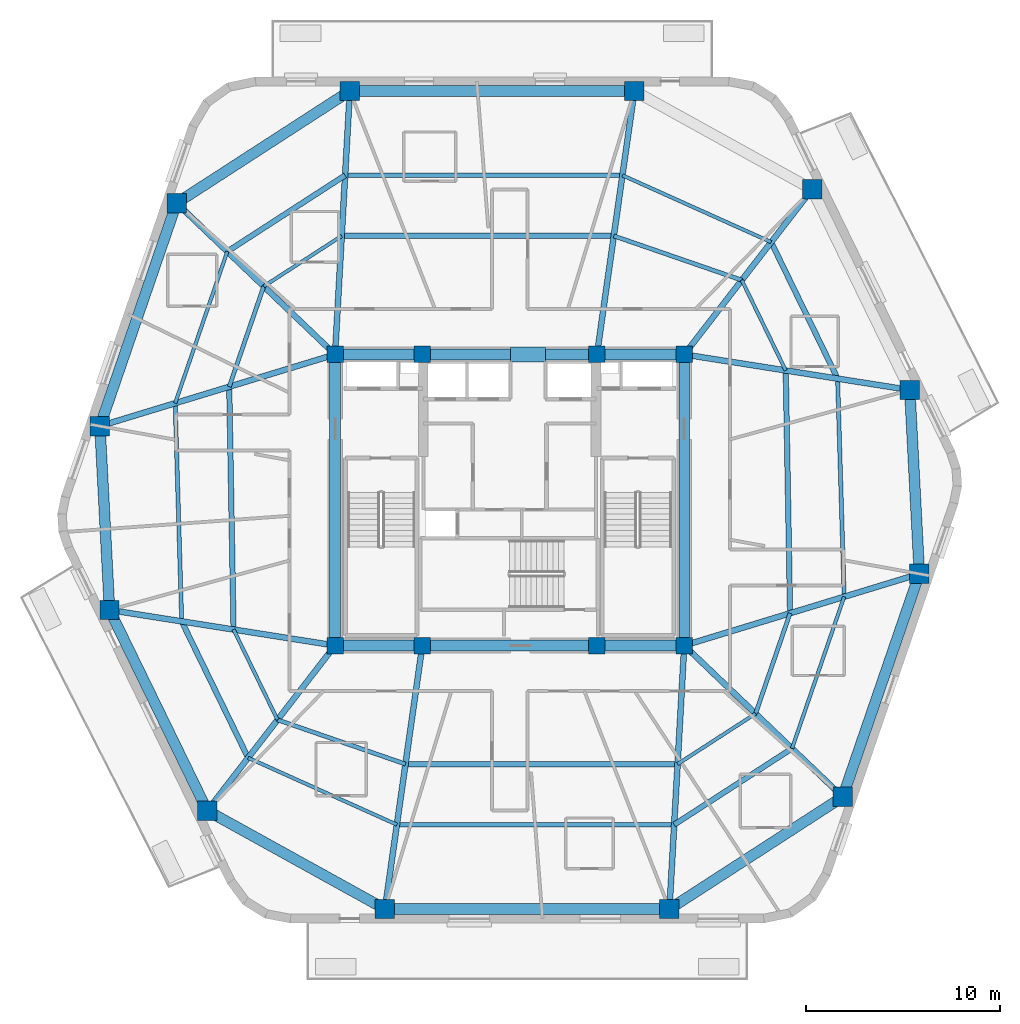
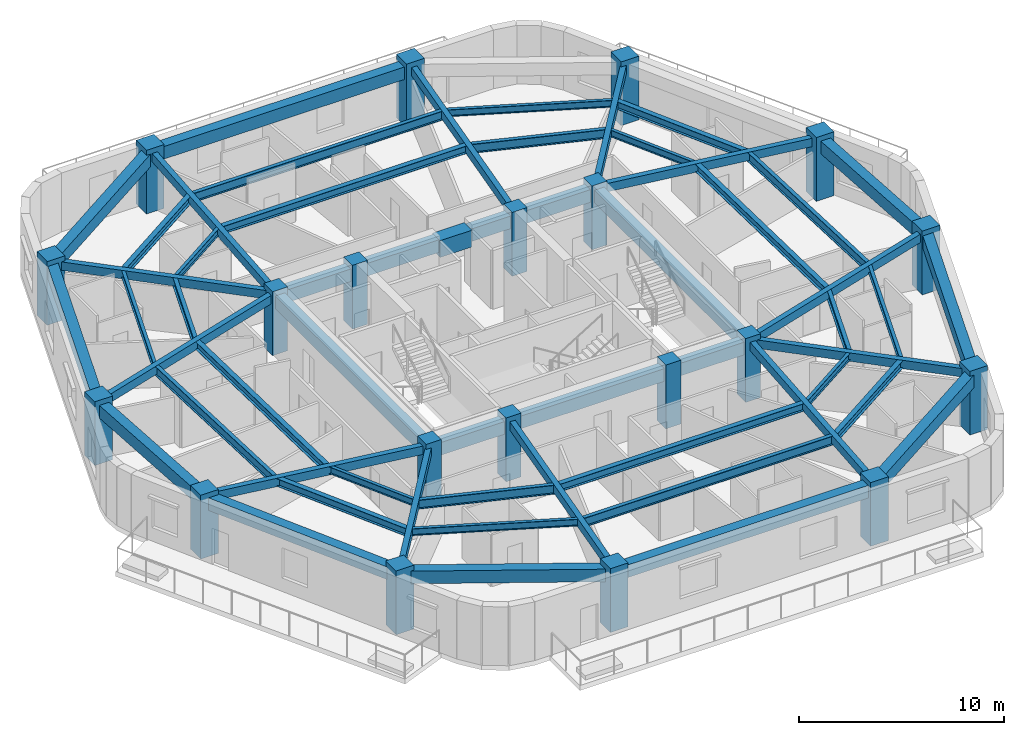
# One storey, part 1 of 10: 55 beams, 20 columns.
"""IFC4 building model written with IfcOpenShell, lengths in metres."""

from ifc_helpers import new_model, si_unit, direction, frame, origin, origin_2d, place, context, subcontext, project, spatial, rectangle, i_section, extrude, material, material_profile, profile_set, type_object, element, save


model = new_model("IFC4")

# Units and contexts
model_context = context("Model", 3, precision=1e-05, world=origin(), true_north=direction((0.0, 1.0)))
body_context = subcontext(model_context, "Body", "Model", "MODEL_VIEW")
ifc_project = project(units=[si_unit("LENGTHUNIT", "METRE"), si_unit("AREAUNIT", "SQUARE_METRE"), si_unit("VOLUMEUNIT", "CUBIC_METRE"), si_unit("PLANEANGLEUNIT", "RADIAN"), si_unit("MASSUNIT", "GRAM", prefix="KILO")], contexts=[model_context])

# Site, building, storey
site_placement = place(None, origin())
site = spatial("IfcSite", under=ifc_project, at=site_placement, CompositionType="ELEMENT")
building_placement = place(site_placement, origin())
building = spatial("IfcBuilding", under=site, at=building_placement, Name="Kilnhurst Terrace Hotel", CompositionType="ELEMENT")
storey_placement = place(building_placement, frame((0.0, 0.0, 210.300048828125)))
storey = spatial("IfcBuildingStorey", under=building, at=storey_placement, Name="L52", CompositionType="ELEMENT", Elevation=210.300048828125)

# Columns
ifc_material_1 = material(Name="Concrete C60/75", Category="concrete")
ifc_material_profile_1 = material_profile(ifc_material_1, rectangle(XDim=1.0, YDim=1.0, at=origin_2d()), Name="RC1000X1000")
ifc_profile_set_1 = profile_set([ifc_material_profile_1], Name="Concrete C60/75")
column_type_1 = type_object("IfcColumnType", Name="COL-RC-1000", PredefinedType="COLUMN", material=ifc_profile_set_1)
for number, where, z_axis, x_axis, name in (
    (1, (-6.429931640625, -21.080078125, 0.0), (0.0, 0.0, 1.0), (1.0, 0.0, 0.0), "L52 Structural Column PC-F11"),
    (2, (8.236083984375, -21.080078125, 0.0), (0.0, 0.0, 1.0), (1.0, 0.0, 0.0), "L52 Structural Column PC-F12"),
    (3, (17.166015625, -15.303955078125, 0.0), (0.0, 0.0, 1.0), (1.0, 0.0, 0.0), "L52 Structural Column PC-F21"),
    (4, (21.117919921875, -3.806884765625, 0.0), (0.0, 0.0, 1.0), (1.0, 0.0, 0.0), "L52 Structural Column PC-F22"),
    (5, (20.6220703125, 5.669921875, 0.0), (0.0, 0.0, 1.0), (1.0, 0.0, 0.0), "L52 Structural Column PC-F31"),
    (6, (15.5869140625, 16.012939453125, 0.0), (0.0, 0.0, 1.0), (1.0, 0.0, 0.0), "L52 Structural Column PC-F32"),
    (7, (6.429931640625, 21.080078125, 0.0), (0.0, 0.0, 1.0), (1.0, 0.0, 0.0), "L52 Structural Column PC-F41"),
    (8, (-8.236083984375, 21.080078125, 0.0), (0.0, 0.0, 1.0), (1.0, 0.0, 0.0), "L52 Structural Column PC-F42"),
    (9, (-17.166015625, 15.303955078125, 0.0), (0.0, 0.0, 1.0), (1.0, 0.0, 0.0), "L52 Structural Column PC-F51"),
    (10, (-21.117919921875, 3.806884765625, 0.0), (0.0, 0.0, 1.0), (1.0, 0.0, 0.0), "L52 Structural Column PC-F52"),
    (11, (-20.6220703125, -5.669921875, 0.0), (0.0, 0.0, 1.0), (1.0, 0.0, 0.0), "L52 Structural Column PC-F61"),
    (12, (-15.5869140625, -16.012939453125, 0.0), (0.0, 0.0, 1.0), (1.0, 0.0, 0.0), "L52 Structural Column PC-F62"),
):
    element("IfcColumn", number, at=place(storey_placement, frame(where, z_axis=z_axis, x_axis=x_axis)), inside=storey, type_object=column_type_1, Name=name, PredefinedType="COLUMN", context=body_context, shape_type="SweptSolid", body=[
        extrude(rectangle(XDim=1.0, YDim=1.0, at=origin_2d()), origin(), (0.0, 0.0, 1.0), 3.800048828125),
    ])
ifc_material_profile_2 = material_profile(ifc_material_1, rectangle(XDim=0.85009765625, YDim=0.85009765625, at=origin_2d()), Name="RC850X850")
ifc_profile_set_2 = profile_set([ifc_material_profile_2], Name="Concrete C60/75")
column_type_2 = type_object("IfcColumnType", Name="COL-RC-850", PredefinedType="COLUMN", material=ifc_profile_set_2)
for number, where, z_axis, x_axis, name in (
    (13, (-9.0, -7.5, 0.0), (0.0, 0.0, 1.0), (1.0, 0.0, 0.0), "L52 Structural Column CC-SW"),
    (14, (-4.5, -7.5, 0.0), (0.0, 0.0, 1.0), (1.0, 0.0, 0.0), "L52 Structural Column CC-SC1"),
    (15, (4.5, -7.5, 0.0), (0.0, 0.0, 1.0), (1.0, 0.0, 0.0), "L52 Structural Column CC-SC2"),
    (16, (9.0, -7.5, 0.0), (0.0, 0.0, 1.0), (1.0, 0.0, 0.0), "L52 Structural Column CC-SE"),
    (17, (9.0, 7.5, 0.0), (0.0, 0.0, 1.0), (1.0, 0.0, 0.0), "L52 Structural Column CC-NE"),
    (18, (4.5, 7.5, 0.0), (0.0, 0.0, 1.0), (1.0, 0.0, 0.0), "L52 Structural Column CC-NC2"),
    (19, (-4.5, 7.5, 0.0), (0.0, 0.0, 1.0), (1.0, 0.0, 0.0), "L52 Structural Column CC-NC1"),
    (20, (-9.0, 7.5, 0.0), (0.0, 0.0, 1.0), (1.0, 0.0, 0.0), "L52 Structural Column CC-NW"),
):
    element("IfcColumn", number, at=place(storey_placement, frame(where, z_axis=z_axis, x_axis=x_axis)), inside=storey, type_object=column_type_2, Name=name, PredefinedType="COLUMN", context=body_context, shape_type="SweptSolid", body=[
        extrude(rectangle(XDim=0.85009765625, YDim=0.85009765625, at=origin_2d()), origin(), (0.0, 0.0, 1.0), 3.800048828125),
    ])

# Beams
ifc_material_2 = material(Name="Concrete C50/60", Category="concrete")
ifc_material_profile_3 = material_profile(ifc_material_2, rectangle(XDim=0.300048828125, YDim=0.5, at=origin_2d()), Name="RC300X500")
ifc_profile_set_3 = profile_set([ifc_material_profile_3], Name="Concrete C50/60")
beam_type_1 = type_object("IfcBeamType", Name="BM-RAD-300X500", PredefinedType="BEAM", material=ifc_profile_set_3)
beam_1_placement = place(storey_placement, frame((-4.5, -7.5, 3.25), z_axis=(-0.140701170889, -0.990052109997, 0.0), x_axis=(0.990052109997, -0.140701170889, 0.0)))
element("IfcBeam", 21, at=beam_1_placement, inside=storey, type_object=beam_type_1, Name="L52 Radial Floor Beam 1", PredefinedType="BEAM", context=body_context, shape_type="SweptSolid", body=[
    extrude(rectangle(XDim=0.300048828125, YDim=0.5, at=origin_2d()), origin(), (0.0, 0.0, 1.0), 13.716552734375),
])
beam_2_placement = place(storey_placement, frame((9.0, -7.5, 3.25), z_axis=(-0.056163905291, -0.998421562138, 0.0), x_axis=(0.998421562138, -0.056163905291, 0.0)))
element("IfcBeam", 22, at=beam_2_placement, inside=storey, type_object=beam_type_1, Name="L52 Radial Floor Beam 2", PredefinedType="BEAM", context=body_context, shape_type="SweptSolid", body=[
    extrude(rectangle(XDim=0.300048828125, YDim=0.5, at=origin_2d()), origin(), (0.0, 0.0, 1.0), 13.6015625),
])
beam_3_placement = place(storey_placement, frame((9.0, -7.5, 3.25), z_axis=(0.722952064528, -0.690898192497, 0.0), x_axis=(0.690898192497, 0.722952064528, 0.0)))
element("IfcBeam", 23, at=beam_3_placement, inside=storey, type_object=beam_type_1, Name="L52 Radial Floor Beam 3", PredefinedType="BEAM", context=body_context, shape_type="SweptSolid", body=[
    extrude(rectangle(XDim=0.300048828125, YDim=0.5, at=origin_2d()), origin(), (0.0, 0.0, 1.0), 11.29541015625),
])
beam_4_placement = place(storey_placement, frame((9.0, -7.5, 3.25), z_axis=(0.956562713724, 0.291526627793, 0.0), x_axis=(-0.291526627793, 0.956562713724, 0.0)))
element("IfcBeam", 24, at=beam_4_placement, inside=storey, type_object=beam_type_1, Name="L52 Radial Floor Beam 4", PredefinedType="BEAM", context=body_context, shape_type="SweptSolid", body=[
    extrude(rectangle(XDim=0.300048828125, YDim=0.5, at=origin_2d()), origin(), (0.0, 0.0, 1.0), 12.668212890625),
])
beam_5_placement = place(storey_placement, frame((9.0, 7.5, 3.25), z_axis=(0.987828160163, -0.155549111179, 0.0), x_axis=(0.155549111179, 0.987828160163, 0.0)))
element("IfcBeam", 25, at=beam_5_placement, inside=storey, type_object=beam_type_1, Name="L52 Radial Floor Beam 5", PredefinedType="BEAM", context=body_context, shape_type="SweptSolid", body=[
    extrude(rectangle(XDim=0.300048828125, YDim=0.5, at=origin_2d()), origin(), (0.0, 0.0, 1.0), 11.765380859375),
])
beam_6_placement = place(storey_placement, frame((9.0, 7.5, 3.25), z_axis=(0.611955412533, 0.790892263884, 0.0), x_axis=(-0.790892263884, 0.611955412533, 0.0)))
element("IfcBeam", 26, at=beam_6_placement, inside=storey, type_object=beam_type_1, Name="L52 Radial Floor Beam 6", PredefinedType="BEAM", context=body_context, shape_type="SweptSolid", body=[
    extrude(rectangle(XDim=0.300048828125, YDim=0.5, at=origin_2d()), origin(), (0.0, 0.0, 1.0), 10.763671875),
])
beam_7_placement = place(storey_placement, frame((4.5, 7.5, 3.25), z_axis=(0.140701170889, 0.990052109997, 0.0), x_axis=(-0.990052109997, 0.140701170889, 0.0)))
element("IfcBeam", 27, at=beam_7_placement, inside=storey, type_object=beam_type_1, Name="L52 Radial Floor Beam 7", PredefinedType="BEAM", context=body_context, shape_type="SweptSolid", body=[
    extrude(rectangle(XDim=0.300048828125, YDim=0.5, at=origin_2d()), origin(), (0.0, 0.0, 1.0), 13.716552734375),
])
beam_8_placement = place(storey_placement, frame((-9.0, 7.5, 3.25), z_axis=(0.056163905291, 0.998421562138, 0.0), x_axis=(-0.998421562138, 0.056163905291, 0.0)))
element("IfcBeam", 28, at=beam_8_placement, inside=storey, type_object=beam_type_1, Name="L52 Radial Floor Beam 8", PredefinedType="BEAM", context=body_context, shape_type="SweptSolid", body=[
    extrude(rectangle(XDim=0.300048828125, YDim=0.5, at=origin_2d()), origin(), (0.0, 0.0, 1.0), 13.6015625),
])
beam_9_placement = place(storey_placement, frame((-9.0, 7.5, 3.25), z_axis=(-0.722952064528, 0.690898192497, 0.0), x_axis=(-0.690898192497, -0.722952064528, 0.0)))
element("IfcBeam", 29, at=beam_9_placement, inside=storey, type_object=beam_type_1, Name="L52 Radial Floor Beam 9", PredefinedType="BEAM", context=body_context, shape_type="SweptSolid", body=[
    extrude(rectangle(XDim=0.300048828125, YDim=0.5, at=origin_2d()), origin(), (0.0, 0.0, 1.0), 11.29541015625),
])
beam_10_placement = place(storey_placement, frame((-9.0, 7.5, 3.25), z_axis=(-0.956562713724, -0.291526627793, 0.0), x_axis=(0.291526627793, -0.956562713724, 0.0)))
element("IfcBeam", 30, at=beam_10_placement, inside=storey, type_object=beam_type_1, Name="L52 Radial Floor Beam 10", PredefinedType="BEAM", context=body_context, shape_type="SweptSolid", body=[
    extrude(rectangle(XDim=0.300048828125, YDim=0.5, at=origin_2d()), origin(), (0.0, 0.0, 1.0), 12.668212890625),
])
beam_11_placement = place(storey_placement, frame((-9.0, -7.5, 3.25), z_axis=(-0.987828160163, 0.155549111179, 0.0), x_axis=(-0.155549111179, -0.987828160163, 0.0)))
element("IfcBeam", 31, at=beam_11_placement, inside=storey, type_object=beam_type_1, Name="L52 Radial Floor Beam 11", PredefinedType="BEAM", context=body_context, shape_type="SweptSolid", body=[
    extrude(rectangle(XDim=0.300048828125, YDim=0.5, at=origin_2d()), origin(), (0.0, 0.0, 1.0), 11.765380859375),
])
beam_12_placement = place(storey_placement, frame((-9.0, -7.5, 3.25), z_axis=(-0.611955412533, -0.790892263884, 0.0), x_axis=(0.790892263884, -0.611955412533, 0.0)))
element("IfcBeam", 32, at=beam_12_placement, inside=storey, type_object=beam_type_1, Name="L52 Radial Floor Beam 12", PredefinedType="BEAM", context=body_context, shape_type="SweptSolid", body=[
    extrude(rectangle(XDim=0.300048828125, YDim=0.5, at=origin_2d()), origin(), (0.0, 0.0, 1.0), 10.763671875),
])
ifc_material_profile_4 = material_profile(ifc_material_2, rectangle(XDim=0.550048828125, YDim=0.75, at=origin_2d()), Name="RC550X750")
ifc_profile_set_4 = profile_set([ifc_material_profile_4], Name="Concrete C50/60")
beam_type_2 = type_object("IfcBeamType", Name="BM-SPN-550X750", PredefinedType="SPANDREL", material=ifc_profile_set_4)
beam_13_placement = place(storey_placement, frame((-9.0, 7.5, 3.125), z_axis=(1.0, 0.0, 0.0), x_axis=(0.0, 1.0, 0.0)))
element("IfcBeam", 33, at=beam_13_placement, inside=storey, type_object=beam_type_2, Name="L52 Core Tie Beam CC-NW to CC-NC1", PredefinedType="SPANDREL", context=body_context, shape_type="SweptSolid", body=[
    extrude(rectangle(XDim=0.550048828125, YDim=0.75, at=origin_2d()), origin(), (0.0, 0.0, 1.0), 4.5),
])
beam_14_placement = place(storey_placement, frame((-4.5, 7.5, 3.125), z_axis=(1.0, 0.0, 0.0), x_axis=(0.0, 1.0, 0.0)))
element("IfcBeam", 34, at=beam_14_placement, inside=storey, type_object=beam_type_2, Name="L52 Core Tie Beam CC-NC1 to CC-NC2", PredefinedType="SPANDREL", context=body_context, shape_type="SweptSolid", body=[
    extrude(rectangle(XDim=0.550048828125, YDim=0.75, at=origin_2d()), origin(), (0.0, 0.0, 1.0), 9.0),
])
for number, where, z_axis, x_axis, name in (
    (35, (4.5, 7.5, 3.125), (1.0, 0.0, 0.0), (0.0, 1.0, 0.0), "L52 Core Tie Beam CC-NC2 to CC-NE"),
    (36, (-9.0, -7.5, 3.125), (1.0, 0.0, 0.0), (0.0, 1.0, 0.0), "L52 Core Tie Beam CC-SW to CC-SC1"),
):
    element("IfcBeam", number, at=place(storey_placement, frame(where, z_axis=z_axis, x_axis=x_axis)), inside=storey, type_object=beam_type_2, Name=name, PredefinedType="SPANDREL", context=body_context, shape_type="SweptSolid", body=[
        extrude(rectangle(XDim=0.550048828125, YDim=0.75, at=origin_2d()), origin(), (0.0, 0.0, 1.0), 4.5),
    ])
beam_15_placement = place(storey_placement, frame((-4.5, -7.5, 3.125), z_axis=(1.0, 0.0, 0.0), x_axis=(0.0, 1.0, 0.0)))
element("IfcBeam", 37, at=beam_15_placement, inside=storey, type_object=beam_type_2, Name="L52 Core Tie Beam CC-SC1 to CC-SC2", PredefinedType="SPANDREL", context=body_context, shape_type="SweptSolid", body=[
    extrude(rectangle(XDim=0.550048828125, YDim=0.75, at=origin_2d()), origin(), (0.0, 0.0, 1.0), 9.0),
])
beam_16_placement = place(storey_placement, frame((4.5, -7.5, 3.125), z_axis=(1.0, 0.0, 0.0), x_axis=(0.0, 1.0, 0.0)))
element("IfcBeam", 38, at=beam_16_placement, inside=storey, type_object=beam_type_2, Name="L52 Core Tie Beam CC-SC2 to CC-SE", PredefinedType="SPANDREL", context=body_context, shape_type="SweptSolid", body=[
    extrude(rectangle(XDim=0.550048828125, YDim=0.75, at=origin_2d()), origin(), (0.0, 0.0, 1.0), 4.5),
])
for number, where, z_axis, x_axis, name in (
    (39, (-9.0, -7.5, 3.125), (0.0, 1.0, 0.0), (-1.0, 0.0, 0.0), "L52 Core Tie Beam CC-SW to CC-NW"),
    (40, (9.0, -7.5, 3.125), (0.0, 1.0, 0.0), (-1.0, 0.0, 0.0), "L52 Core Tie Beam CC-SE to CC-NE"),
):
    element("IfcBeam", number, at=place(storey_placement, frame(where, z_axis=z_axis, x_axis=x_axis)), inside=storey, type_object=beam_type_2, Name=name, PredefinedType="SPANDREL", context=body_context, shape_type="SweptSolid", body=[
        extrude(rectangle(XDim=0.550048828125, YDim=0.75, at=origin_2d()), origin(), (0.0, 0.0, 1.0), 15.0),
    ])
beam_17_placement = place(storey_placement, frame((-6.429931640625, -21.080078125, 3.125), z_axis=(1.0, 0.0, 0.0), x_axis=(0.0, 1.0, 0.0)))
element("IfcBeam", 41, at=beam_17_placement, inside=storey, type_object=beam_type_2, Name="L52 Perimeter Spandrel Beam 1", PredefinedType="SPANDREL", context=body_context, shape_type="SweptSolid", body=[
    extrude(rectangle(XDim=0.550048828125, YDim=0.75, at=origin_2d()), origin(), (0.0, 0.0, 1.0), 14.666015625),
])
beam_18_placement = place(storey_placement, frame((8.236083984375, -21.080078125, 3.125), z_axis=(0.839658834217, 0.543114207254, 0.0), x_axis=(-0.543114207254, 0.839658834217, 0.0)))
element("IfcBeam", 42, at=beam_18_placement, inside=storey, type_object=beam_type_2, Name="L52 Perimeter Spandrel Beam 2", PredefinedType="SPANDREL", context=body_context, shape_type="SweptSolid", body=[
    extrude(rectangle(XDim=0.550048828125, YDim=0.75, at=origin_2d()), origin(), (0.0, 0.0, 1.0), 10.63525390625),
])
beam_19_placement = place(storey_placement, frame((17.166015625, -15.303955078125, 3.125), z_axis=(0.325064053802, 0.94569200109, 0.0), x_axis=(-0.94569200109, 0.325064053802, 0.0)))
element("IfcBeam", 43, at=beam_19_placement, inside=storey, type_object=beam_type_2, Name="L52 Perimeter Spandrel Beam 3", PredefinedType="SPANDREL", context=body_context, shape_type="SweptSolid", body=[
    extrude(rectangle(XDim=0.550048828125, YDim=0.75, at=origin_2d()), origin(), (0.0, 0.0, 1.0), 12.1572265625),
])
beam_20_placement = place(storey_placement, frame((21.117919921875, -3.806884765625, 3.125), z_axis=(-0.052250962837, 0.998633985443, 0.0), x_axis=(-0.998633985443, -0.052250962837, 0.0)))
element("IfcBeam", 44, at=beam_20_placement, inside=storey, type_object=beam_type_2, Name="L52 Perimeter Spandrel Beam 4", PredefinedType="SPANDREL", context=body_context, shape_type="SweptSolid", body=[
    extrude(rectangle(XDim=0.550048828125, YDim=0.75, at=origin_2d()), origin(), (0.0, 0.0, 1.0), 9.48974609375),
])
beam_21_placement = place(storey_placement, frame((6.429931640625, 21.080078125, 3.125), z_axis=(-1.0, 0.0, 0.0), x_axis=(0.0, -1.0, 0.0)))
element("IfcBeam", 45, at=beam_21_placement, inside=storey, type_object=beam_type_2, Name="L52 Perimeter Spandrel Beam 7", PredefinedType="SPANDREL", context=body_context, shape_type="SweptSolid", body=[
    extrude(rectangle(XDim=0.550048828125, YDim=0.75, at=origin_2d()), origin(), (0.0, 0.0, 1.0), 14.666015625),
])
beam_22_placement = place(storey_placement, frame((-8.236083984375, 21.080078125, 3.125), z_axis=(-0.839658834217, -0.543114207254, 0.0), x_axis=(0.543114207254, -0.839658834217, 0.0)))
element("IfcBeam", 46, at=beam_22_placement, inside=storey, type_object=beam_type_2, Name="L52 Perimeter Spandrel Beam 8", PredefinedType="SPANDREL", context=body_context, shape_type="SweptSolid", body=[
    extrude(rectangle(XDim=0.550048828125, YDim=0.75, at=origin_2d()), origin(), (0.0, 0.0, 1.0), 10.63525390625),
])
beam_23_placement = place(storey_placement, frame((-17.166015625, 15.303955078125, 3.125), z_axis=(-0.325064053802, -0.94569200109, 0.0), x_axis=(0.94569200109, -0.325064053802, 0.0)))
element("IfcBeam", 47, at=beam_23_placement, inside=storey, type_object=beam_type_2, Name="L52 Perimeter Spandrel Beam 9", PredefinedType="SPANDREL", context=body_context, shape_type="SweptSolid", body=[
    extrude(rectangle(XDim=0.550048828125, YDim=0.75, at=origin_2d()), origin(), (0.0, 0.0, 1.0), 12.1572265625),
])
beam_24_placement = place(storey_placement, frame((-21.117919921875, 3.806884765625, 3.125), z_axis=(0.052250962837, -0.998633985443, 0.0), x_axis=(0.998633985443, 0.052250962837, 0.0)))
element("IfcBeam", 48, at=beam_24_placement, inside=storey, type_object=beam_type_2, Name="L52 Perimeter Spandrel Beam 10", PredefinedType="SPANDREL", context=body_context, shape_type="SweptSolid", body=[
    extrude(rectangle(XDim=0.550048828125, YDim=0.75, at=origin_2d()), origin(), (0.0, 0.0, 1.0), 9.48974609375),
])
beam_25_placement = place(storey_placement, frame((-20.6220703125, -5.669921875, 3.125), z_axis=(0.437705964683, -0.899118172701, 0.0), x_axis=(0.899118172701, 0.437705964683, 0.0)))
element("IfcBeam", 49, at=beam_25_placement, inside=storey, type_object=beam_type_2, Name="L52 Perimeter Spandrel Beam 11", PredefinedType="SPANDREL", context=body_context, shape_type="SweptSolid", body=[
    extrude(rectangle(XDim=0.550048828125, YDim=0.75, at=origin_2d()), origin(), (0.0, 0.0, 1.0), 11.50341796875),
])
beam_26_placement = place(storey_placement, frame((-15.5869140625, -16.012939453125, 3.125), z_axis=(0.874970333121, -0.484176534085, 0.0), x_axis=(0.484176534085, 0.874970333121, 0.0)))
element("IfcBeam", 50, at=beam_26_placement, inside=storey, type_object=beam_type_2, Name="L52 Perimeter Spandrel Beam 12", PredefinedType="SPANDREL", context=body_context, shape_type="SweptSolid", body=[
    extrude(rectangle(XDim=0.550048828125, YDim=0.75, at=origin_2d()), origin(), (0.0, 0.0, 1.0), 10.465576171875),
])
ifc_material_3 = material(Name="Steel ASTM A992 Grade 50", Category="steel")
ifc_material_profile_5 = material_profile(ifc_material_3, i_section(OverallWidth=0.180908203125, OverallDepth=0.417236328125, WebThickness=0.010986328125, FlangeThickness=0.018310546875, at=origin_2d()), Name="W16X57")
ifc_profile_set_5 = profile_set([ifc_material_profile_5], Name="Steel ASTM A992 Grade 50")
beam_type_3 = type_object("IfcBeamType", Name="JST-STL-W16X57", PredefinedType="JOIST", material=ifc_profile_set_5)
beam_27_placement = place(storey_placement, frame((14.552978515625, -12.806640625, 3.291015625), z_axis=(0.325064911916, 0.945691706129, 0.0), x_axis=(-0.945691706129, 0.325064911916, 0.0)))
element("IfcBeam", 51, at=beam_27_placement, inside=storey, type_object=beam_type_3, Name="L52 Secondary Floor Steel Joist OUT.3", PredefinedType="JOIST", context=body_context, shape_type="SweptSolid", body=[
    extrude(i_section(OverallWidth=0.180908203125, OverallDepth=0.417236328125, WebThickness=0.010986328125, FlangeThickness=0.018310546875, at=origin_2d()), origin(), (0.0, 0.0, 1.0), 8.266845703125),
])
beam_28_placement = place(storey_placement, frame((13.479248046875, 13.288818359375, 3.291015625), z_axis=(-0.912120852375, 0.409921395713, 0.0), x_axis=(-0.409921395713, -0.912120852375, 0.0)))
element("IfcBeam", 52, at=beam_28_placement, inside=storey, type_object=beam_type_3, Name="L52 Secondary Floor Steel Joist OUT.6", PredefinedType="JOIST", context=body_context, shape_type="SweptSolid", body=[
    extrude(i_section(OverallWidth=0.180908203125, OverallDepth=0.417236328125, WebThickness=0.010986328125, FlangeThickness=0.018310546875, at=origin_2d()), origin(), (0.0, 0.0, 1.0), 8.405517578125),
])
beam_29_placement = place(storey_placement, frame((-14.552978515625, 12.806640625, 3.291015625), z_axis=(-0.325064911916, -0.945691706129, 0.0), x_axis=(0.945691706129, -0.325064911916, 0.0)))
element("IfcBeam", 53, at=beam_29_placement, inside=storey, type_object=beam_type_3, Name="L52 Secondary Floor Steel Joist OUT.9", PredefinedType="JOIST", context=body_context, shape_type="SweptSolid", body=[
    extrude(i_section(OverallWidth=0.180908203125, OverallDepth=0.417236328125, WebThickness=0.010986328125, FlangeThickness=0.018310546875, at=origin_2d()), origin(), (0.0, 0.0, 1.0), 8.266845703125),
])
beam_30_placement = place(storey_placement, frame((-13.479248046875, -13.288818359375, 3.291015625), z_axis=(0.912120852375, -0.409921395713, 0.0), x_axis=(0.409921395713, 0.912120852375, 0.0)))
element("IfcBeam", 54, at=beam_30_placement, inside=storey, type_object=beam_type_3, Name="L52 Secondary Floor Steel Joist OUT.12", PredefinedType="JOIST", context=body_context, shape_type="SweptSolid", body=[
    extrude(i_section(OverallWidth=0.180908203125, OverallDepth=0.417236328125, WebThickness=0.010986328125, FlangeThickness=0.018310546875, at=origin_2d()), origin(), (0.0, 0.0, 1.0), 8.405517578125),
])
beam_31_placement = place(storey_placement, frame((8.65625, -13.611083984375, 3.291015625), z_axis=(0.839653632344, 0.543122249306, 0.0), x_axis=(-0.543122249306, 0.839653632344, 0.0)))
element("IfcBeam", 55, at=beam_31_placement, inside=storey, type_object=beam_type_3, Name="L52 Secondary Floor Steel Joist IN.2", PredefinedType="JOIST", context=body_context, shape_type="SweptSolid", body=[
    extrude(i_section(OverallWidth=0.180908203125, OverallDepth=0.417236328125, WebThickness=0.010986328125, FlangeThickness=0.018310546875, at=origin_2d()), origin(), (0.0, 0.0, 1.0), 4.785888671875),
])
beam_32_placement = place(storey_placement, frame((14.22998046875, 6.676513671875, 3.291015625), z_axis=(-0.437718230281, 0.899112201496, 0.0), x_axis=(-0.899112201496, -0.437718230281, 0.0)))
element("IfcBeam", 56, at=beam_32_placement, inside=storey, type_object=beam_type_3, Name="L52 Secondary Floor Steel Joist IN.5", PredefinedType="JOIST", context=body_context, shape_type="SweptSolid", body=[
    extrude(i_section(OverallWidth=0.180908203125, OverallDepth=0.417236328125, WebThickness=0.010986328125, FlangeThickness=0.018310546875, at=origin_2d()), origin(), (0.0, 0.0, 1.0), 5.176513671875),
])
beam_33_placement = place(storey_placement, frame((-8.65625, 13.611083984375, 3.291015625), z_axis=(-0.839653632344, -0.543122249306, 0.0), x_axis=(0.543122249306, -0.839653632344, 0.0)))
element("IfcBeam", 57, at=beam_33_placement, inside=storey, type_object=beam_type_3, Name="L52 Secondary Floor Steel Joist IN.8", PredefinedType="JOIST", context=body_context, shape_type="SweptSolid", body=[
    extrude(i_section(OverallWidth=0.180908203125, OverallDepth=0.417236328125, WebThickness=0.010986328125, FlangeThickness=0.018310546875, at=origin_2d()), origin(), (0.0, 0.0, 1.0), 4.785888671875),
])
beam_34_placement = place(storey_placement, frame((-14.22998046875, -6.676513671875, 3.291015625), z_axis=(0.437718230281, -0.899112201496, 0.0), x_axis=(0.899112201496, 0.437718230281, 0.0)))
element("IfcBeam", 58, at=beam_34_placement, inside=storey, type_object=beam_type_3, Name="L52 Secondary Floor Steel Joist IN.11", PredefinedType="JOIST", context=body_context, shape_type="SweptSolid", body=[
    extrude(i_section(OverallWidth=0.180908203125, OverallDepth=0.417236328125, WebThickness=0.010986328125, FlangeThickness=0.018310546875, at=origin_2d()), origin(), (0.0, 0.0, 1.0), 5.176513671875),
])
ifc_material_profile_6 = material_profile(ifc_material_3, i_section(OverallWidth=0.279296875, OverallDepth=0.462890625, WebThickness=0.0107421875, FlangeThickness=0.017333984375, at=origin_2d()), Name="W18X76")
ifc_profile_set_6 = profile_set([ifc_material_profile_6], Name="Steel ASTM A992 Grade 50")
beam_type_4 = type_object("IfcBeamType", Name="JST-STL-W18X76", PredefinedType="JOIST", material=ifc_profile_set_6)
beam_35_placement = place(storey_placement, frame((8.48046875, -16.734375, 3.26806640625), z_axis=(0.839667054453, 0.543101498494, 0.0), x_axis=(-0.543101498494, 0.839667054453, 0.0)))
element("IfcBeam", 59, at=beam_35_placement, inside=storey, type_object=beam_type_4, Name="L52 Secondary Floor Steel Joist OUT.2", PredefinedType="JOIST", context=body_context, shape_type="SweptSolid", body=[
    extrude(i_section(OverallWidth=0.279296875, OverallDepth=0.462890625, WebThickness=0.0107421875, FlangeThickness=0.017333984375, at=origin_2d()), origin(), (0.0, 0.0, 1.0), 7.23193359375),
])
beam_36_placement = place(storey_placement, frame((16.903076171875, 6.255615234375, 3.26806640625), z_axis=(-0.437700347277, 0.899120907328, 0.0), x_axis=(-0.899120907328, -0.437700347277, 0.0)))
element("IfcBeam", 60, at=beam_36_placement, inside=storey, type_object=beam_type_4, Name="L52 Secondary Floor Steel Joist OUT.5", PredefinedType="JOIST", context=body_context, shape_type="SweptSolid", body=[
    extrude(i_section(OverallWidth=0.279296875, OverallDepth=0.462890625, WebThickness=0.0107421875, FlangeThickness=0.017333984375, at=origin_2d()), origin(), (0.0, 0.0, 1.0), 7.822265625),
])
beam_37_placement = place(storey_placement, frame((-8.48046875, 16.734375, 3.26806640625), z_axis=(-0.839667054453, -0.543101498494, 0.0), x_axis=(0.543101498494, -0.839667054453, 0.0)))
element("IfcBeam", 61, at=beam_37_placement, inside=storey, type_object=beam_type_4, Name="L52 Secondary Floor Steel Joist OUT.8", PredefinedType="JOIST", context=body_context, shape_type="SweptSolid", body=[
    extrude(i_section(OverallWidth=0.279296875, OverallDepth=0.462890625, WebThickness=0.0107421875, FlangeThickness=0.017333984375, at=origin_2d()), origin(), (0.0, 0.0, 1.0), 7.23193359375),
])
beam_38_placement = place(storey_placement, frame((-16.903076171875, -6.255615234375, 3.26806640625), z_axis=(0.437700347277, -0.899120907328, 0.0), x_axis=(0.899120907328, 0.437700347277, 0.0)))
element("IfcBeam", 62, at=beam_38_placement, inside=storey, type_object=beam_type_4, Name="L52 Secondary Floor Steel Joist OUT.11", PredefinedType="JOIST", context=body_context, shape_type="SweptSolid", body=[
    extrude(i_section(OverallWidth=0.279296875, OverallDepth=0.462890625, WebThickness=0.0107421875, FlangeThickness=0.017333984375, at=origin_2d()), origin(), (0.0, 0.0, 1.0), 7.822265625),
])
beam_39_placement = place(storey_placement, frame((-5.368408203125, -13.611083984375, 3.26806640625), z_axis=(1.0, 0.0, 0.0), x_axis=(0.0, 1.0, 0.0)))
element("IfcBeam", 63, at=beam_39_placement, inside=storey, type_object=beam_type_4, Name="L52 Secondary Floor Steel Joist IN.1", PredefinedType="JOIST", context=body_context, shape_type="SweptSolid", body=[
    extrude(i_section(OverallWidth=0.279296875, OverallDepth=0.462890625, WebThickness=0.0107421875, FlangeThickness=0.017333984375, at=origin_2d()), origin(), (0.0, 0.0, 1.0), 14.024658203125),
])
beam_40_placement = place(storey_placement, frame((14.453125, -5.838134765625, 3.26806640625), z_axis=(-0.017827833387, 0.999841071549, 0.0), x_axis=(-0.999841071549, -0.017827833387, 0.0)))
element("IfcBeam", 64, at=beam_40_placement, inside=storey, type_object=beam_type_4, Name="L52 Secondary Floor Steel Joist IN.4", PredefinedType="JOIST", context=body_context, shape_type="SweptSolid", body=[
    extrude(i_section(OverallWidth=0.279296875, OverallDepth=0.462890625, WebThickness=0.0107421875, FlangeThickness=0.017333984375, at=origin_2d()), origin(), (0.0, 0.0, 1.0), 12.5166015625),
])
beam_41_placement = place(storey_placement, frame((5.368408203125, 13.611083984375, 3.26806640625), z_axis=(-1.0, 0.0, 0.0), x_axis=(0.0, -1.0, 0.0)))
element("IfcBeam", 65, at=beam_41_placement, inside=storey, type_object=beam_type_4, Name="L52 Secondary Floor Steel Joist IN.7", PredefinedType="JOIST", context=body_context, shape_type="SweptSolid", body=[
    extrude(i_section(OverallWidth=0.279296875, OverallDepth=0.462890625, WebThickness=0.0107421875, FlangeThickness=0.017333984375, at=origin_2d()), origin(), (0.0, 0.0, 1.0), 14.024658203125),
])
beam_42_placement = place(storey_placement, frame((-14.453125, 5.838134765625, 3.26806640625), z_axis=(0.017827833387, -0.999841071549, 0.0), x_axis=(0.999841071549, 0.017827833387, 0.0)))
element("IfcBeam", 66, at=beam_42_placement, inside=storey, type_object=beam_type_4, Name="L52 Secondary Floor Steel Joist IN.10", PredefinedType="JOIST", context=body_context, shape_type="SweptSolid", body=[
    extrude(i_section(OverallWidth=0.279296875, OverallDepth=0.462890625, WebThickness=0.0107421875, FlangeThickness=0.017333984375, at=origin_2d()), origin(), (0.0, 0.0, 1.0), 12.5166015625),
])
ifc_material_profile_7 = material_profile(ifc_material_3, i_section(OverallWidth=0.2138671875, OverallDepth=0.549072265625, WebThickness=0.0146484375, FlangeThickness=0.023681640625, at=origin_2d()), Name="W21X93")
ifc_profile_set_7 = profile_set([ifc_material_profile_7], Name="Steel ASTM A992 Grade 50")
beam_type_5 = type_object("IfcBeamType", Name="JST-STL-W21X93", PredefinedType="JOIST", material=ifc_profile_set_7)
beam_43_placement = place(storey_placement, frame((-5.8125, -16.734375, 3.224853515625), z_axis=(1.0, 0.0, 0.0), x_axis=(0.0, 1.0, 0.0)))
element("IfcBeam", 67, at=beam_43_placement, inside=storey, type_object=beam_type_5, Name="L52 Secondary Floor Steel Joist OUT.1", PredefinedType="JOIST", context=body_context, shape_type="SweptSolid", body=[
    extrude(i_section(OverallWidth=0.2138671875, OverallDepth=0.549072265625, WebThickness=0.0146484375, FlangeThickness=0.023681640625, at=origin_2d()), origin(), (0.0, 0.0, 1.0), 14.29296875),
])
beam_44_placement = place(storey_placement, frame((17.240234375, -4.98876953125, 3.224853515625), z_axis=(-0.029971114202, 0.999550765251, 0.0), x_axis=(-0.999550765251, -0.029971114202, 0.0)))
element("IfcBeam", 68, at=beam_44_placement, inside=storey, type_object=beam_type_5, Name="L52 Secondary Floor Steel Joist OUT.4", PredefinedType="JOIST", context=body_context, shape_type="SweptSolid", body=[
    extrude(i_section(OverallWidth=0.2138671875, OverallDepth=0.549072265625, WebThickness=0.0146484375, FlangeThickness=0.023681640625, at=origin_2d()), origin(), (0.0, 0.0, 1.0), 11.24951171875),
])
beam_45_placement = place(storey_placement, frame((5.8125, 16.734375, 3.224853515625), z_axis=(-1.0, 0.0, 0.0), x_axis=(0.0, -1.0, 0.0)))
element("IfcBeam", 69, at=beam_45_placement, inside=storey, type_object=beam_type_5, Name="L52 Secondary Floor Steel Joist OUT.7", PredefinedType="JOIST", context=body_context, shape_type="SweptSolid", body=[
    extrude(i_section(OverallWidth=0.2138671875, OverallDepth=0.549072265625, WebThickness=0.0146484375, FlangeThickness=0.023681640625, at=origin_2d()), origin(), (0.0, 0.0, 1.0), 14.29296875),
])
beam_46_placement = place(storey_placement, frame((-17.240234375, 4.98876953125, 3.224853515625), z_axis=(0.029971114202, -0.999550765251, 0.0), x_axis=(0.999550765251, 0.029971114202, 0.0)))
element("IfcBeam", 70, at=beam_46_placement, inside=storey, type_object=beam_type_5, Name="L52 Secondary Floor Steel Joist OUT.10", PredefinedType="JOIST", context=body_context, shape_type="SweptSolid", body=[
    extrude(i_section(OverallWidth=0.2138671875, OverallDepth=0.549072265625, WebThickness=0.0146484375, FlangeThickness=0.023681640625, at=origin_2d()), origin(), (0.0, 0.0, 1.0), 11.24951171875),
])
beam_47_placement = place(storey_placement, frame((12.6748046875, -11.01171875, 3.224853515625), z_axis=(0.325063554612, 0.945692172677, 0.0), x_axis=(-0.945692172677, 0.325063554612, 0.0)))
element("IfcBeam", 71, at=beam_47_placement, inside=storey, type_object=beam_type_5, Name="L52 Secondary Floor Steel Joist IN.3", PredefinedType="JOIST", context=body_context, shape_type="SweptSolid", body=[
    extrude(i_section(OverallWidth=0.2138671875, OverallDepth=0.549072265625, WebThickness=0.0146484375, FlangeThickness=0.023681640625, at=origin_2d()), origin(), (0.0, 0.0, 1.0), 5.470703125),
])
beam_48_placement = place(storey_placement, frame((11.964111328125, 11.330810546875, 3.224853515625), z_axis=(-0.94511244231, 0.326745269884, 0.0), x_axis=(-0.326745269884, -0.94511244231, 0.0)))
element("IfcBeam", 72, at=beam_48_placement, inside=storey, type_object=beam_type_5, Name="L52 Secondary Floor Steel Joist IN.6", PredefinedType="JOIST", context=body_context, shape_type="SweptSolid", body=[
    extrude(i_section(OverallWidth=0.2138671875, OverallDepth=0.549072265625, WebThickness=0.0146484375, FlangeThickness=0.023681640625, at=origin_2d()), origin(), (0.0, 0.0, 1.0), 6.978759765625),
])
beam_49_placement = place(storey_placement, frame((-12.6748046875, 11.01171875, 3.224853515625), z_axis=(-0.325063554612, -0.945692172677, 0.0), x_axis=(0.945692172677, -0.325063554612, 0.0)))
element("IfcBeam", 73, at=beam_49_placement, inside=storey, type_object=beam_type_5, Name="L52 Secondary Floor Steel Joist IN.9", PredefinedType="JOIST", context=body_context, shape_type="SweptSolid", body=[
    extrude(i_section(OverallWidth=0.2138671875, OverallDepth=0.549072265625, WebThickness=0.0146484375, FlangeThickness=0.023681640625, at=origin_2d()), origin(), (0.0, 0.0, 1.0), 5.470703125),
])
beam_50_placement = place(storey_placement, frame((-11.964111328125, -11.330810546875, 3.224853515625), z_axis=(0.94511244231, -0.326745269884, 0.0), x_axis=(0.326745269884, 0.94511244231, 0.0)))
element("IfcBeam", 74, at=beam_50_placement, inside=storey, type_object=beam_type_5, Name="L52 Secondary Floor Steel Joist IN.12", PredefinedType="JOIST", context=body_context, shape_type="SweptSolid", body=[
    extrude(i_section(OverallWidth=0.2138671875, OverallDepth=0.549072265625, WebThickness=0.0146484375, FlangeThickness=0.023681640625, at=origin_2d()), origin(), (0.0, 0.0, 1.0), 6.978759765625),
])
ifc_material_profile_8 = material_profile(ifc_material_1, rectangle(XDim=0.75, YDim=1.0, at=origin_2d()), Name="RC750X1000")
ifc_profile_set_8 = profile_set([ifc_material_profile_8], Name="Concrete C60/75")
beam_type_6 = type_object("IfcBeamType", Name="LNT-CB-750X1000", PredefinedType="LINTEL", material=ifc_profile_set_8)
beam_51_placement = place(storey_placement, frame((0.050048828125, 7.5, 3.0), z_axis=(1.0, 0.0, 0.0), x_axis=(0.0, 1.0, 0.0)))
element("IfcBeam", 75, at=beam_51_placement, inside=storey, type_object=beam_type_6, Name="L52 North Core Coupling Link Beam", PredefinedType="LINTEL", context=body_context, shape_type="SweptSolid", body=[
    extrude(rectangle(XDim=0.75, YDim=1.0, at=origin_2d()), origin(), (0.0, 0.0, 1.0), 1.800048828125),
])

save(model, "model.ifc")
